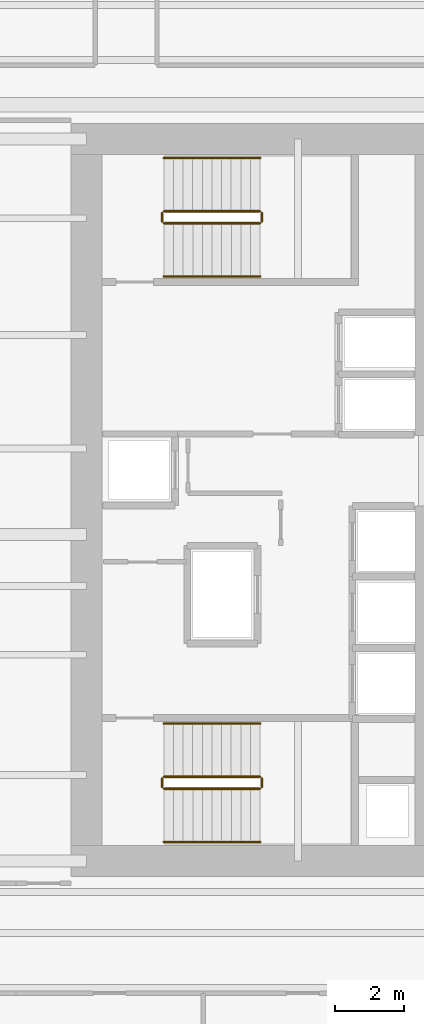
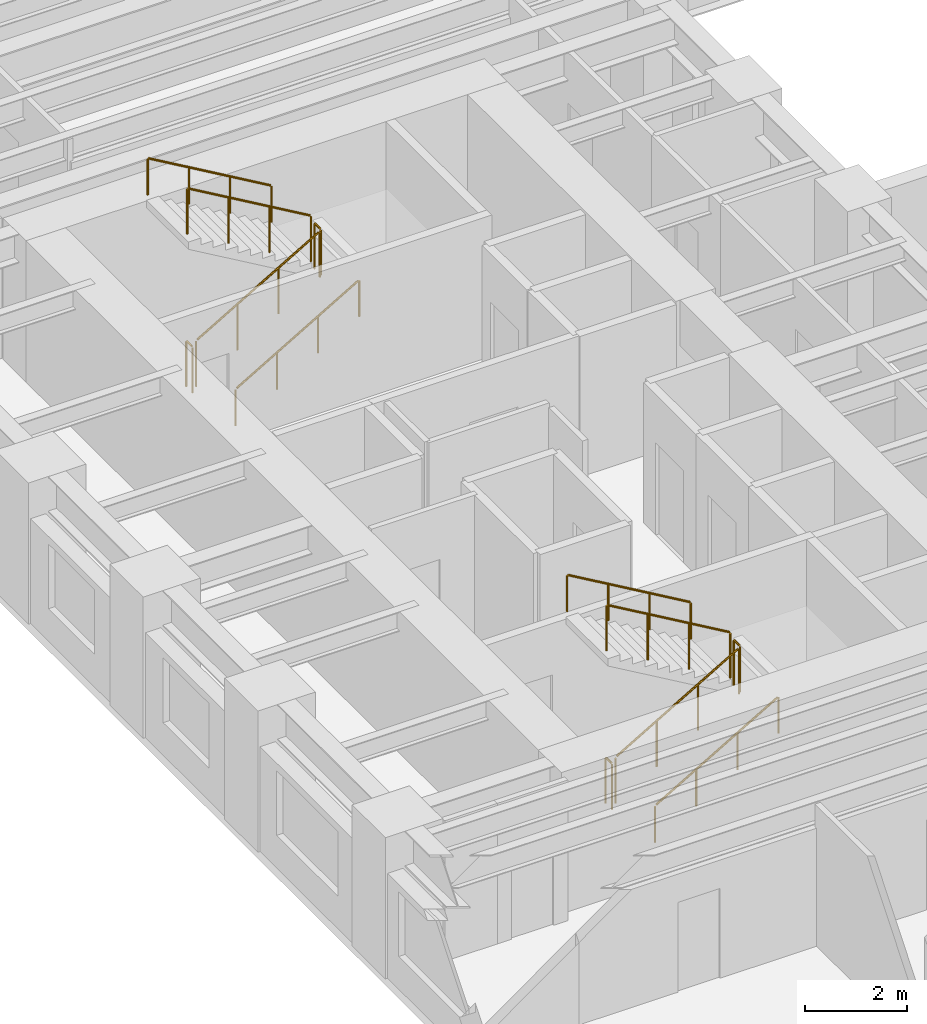
# One storey, part 12 of 13: 12 railings.
"""IFC4 building model written with IfcOpenShell, lengths in metres."""

from ifc_helpers import new_model, si_unit, direction, frame, origin, origin_2d, place, context, subcontext, project, spatial, circle, extrude, source, transform, mapped, material, layer, layer_set, type_object, element, save


model = new_model("IFC4")

# Units and contexts
model_context = context("Model", 3, precision=1e-05, world=origin(), true_north=direction((0.0, 1.0)))
body_context = subcontext(model_context, "Body", "Model", "MODEL_VIEW")
ifc_project = project(units=[si_unit("LENGTHUNIT", "METRE"), si_unit("AREAUNIT", "SQUARE_METRE"), si_unit("VOLUMEUNIT", "CUBIC_METRE"), si_unit("PLANEANGLEUNIT", "RADIAN"), si_unit("MASSUNIT", "GRAM", prefix="KILO")], contexts=[model_context])

# Site, building, storey
site_placement = place(None, origin())
site = spatial("IfcSite", under=ifc_project, at=site_placement, CompositionType="ELEMENT")
building_placement = place(site_placement, origin())
building = spatial("IfcBuilding", under=site, at=building_placement, Name="Kharzan Plaza Tower", CompositionType="ELEMENT")
storey_placement = place(building_placement, frame((0.0, 0.0, 65.699951171875)))
storey = spatial("IfcBuildingStorey", under=building, at=storey_placement, Name="L17", CompositionType="ELEMENT", Elevation=65.699951171875)

# Railings
ifc_material_1 = material(Name="Painted Galvanized Architectural Steel", Category="steel")
ifc_layer_1 = layer(ifc_material_1, 0.074951171875)
ifc_layer_set_1 = layer_set([ifc_layer_1], Name="Painted Galvanized Architectural Steel")
railing_type_1 = type_object("IfcRailingType", Name="RL-GUARD-1120", PredefinedType="BALUSTRADE", material=ifc_layer_set_1)
shared_shape_1 = source(origin(), body_context, "Body", "SweptSolid", [
    extrude(circle(Radius=0.02392578125, at=origin_2d()), frame((0.0, 0.0263671875, 1.09619140625), z_axis=(0.0, 1.0, 0.0), x_axis=(-1.0, 0.0, 0.0)), (0.0, 0.0, 1.0), 0.197021484375),
    extrude(circle(Radius=0.02099609375, at=origin_2d()), origin(), (0.0, 0.0, 1.0), 1.072021484375),
    extrude(circle(Radius=0.02099609375, at=origin_2d()), frame((0.0, 0.25, 0.0)), (0.0, 0.0, 1.0), 1.072021484375),
])
for number, where, name in (
    (1, (9.60009765625, 10.64990234375, 1.800048828125), "L17 ST-1 stair guard 2"),
    (2, (6.699951171875, 10.64990234375, 0.0), "L17 ST-1 stair guard 4"),
    (3, (9.60009765625, 27.10009765625, 1.800048828125), "L17 ST-2 stair guard 2"),
    (4, (6.699951171875, 27.10009765625, 0.0), "L17 ST-2 stair guard 4"),
):
    element("IfcRailing", number, at=place(storey_placement, frame(where)), inside=storey, type_object=railing_type_1, Name=name, PredefinedType="BALUSTRADE", context=body_context, shape_type="MappedRepresentation", body=[
        mapped(shared_shape_1, transform((0.0, 0.0, 0.0), x_axis=(1.0, 0.0, 0.0), y_axis=(0.0, 1.0, 0.0), z_axis=(0.0, 0.0, 1.0))),
    ])
shared_shape_2 = source(origin(), body_context, "Body", "SweptSolid", [
    extrude(circle(Radius=0.02392578125, at=origin_2d()), frame((0.02294921875, 0.0, 1.109375), z_axis=(0.863360870873, 0.0, 0.504586966384), x_axis=(0.0, 1.0, 0.0)), (0.0, 0.0, 1.0), 3.190185546875),
    extrude(circle(Radius=0.02099609375, at=origin_2d()), origin(), (0.0, 0.0, 1.0), 1.072021484375),
    extrude(circle(Radius=0.02099609375, at=origin_2d()), frame((0.933349609375, 0.0, 0.54541015625)), (0.0, 0.0, 1.0), 1.072021484375),
    extrude(circle(Radius=0.02099609375, at=origin_2d()), frame((1.86669921875, 0.0, 1.091064453125)), (0.0, 0.0, 1.0), 1.072021484375),
    extrude(circle(Radius=0.02099609375, at=origin_2d()), frame((2.800048828125, 0.0, 1.636474609375)), (0.0, 0.0, 1.0), 1.072021484375),
])
for number, where, name in (
    (5, (6.75, 10.60009765625, 0.16357421875), "L17 ST-1 stair guard 1"),
    (6, (6.75, 27.050048828125, 0.16357421875), "L17 ST-2 stair guard 1"),
):
    element("IfcRailing", number, at=place(storey_placement, frame(where)), inside=storey, type_object=railing_type_1, Name=name, PredefinedType="BALUSTRADE", context=body_context, shape_type="MappedRepresentation", body=[
        mapped(shared_shape_2, transform((0.0, 0.0, 0.0), x_axis=(1.0, 0.0, 0.0), y_axis=(0.0, 1.0, 0.0), z_axis=(0.0, 0.0, 1.0))),
    ])
shared_shape_3 = source(origin(), body_context, "Body", "SweptSolid", [
    extrude(circle(Radius=0.02392578125, at=origin_2d()), frame((-0.02294921875, 0.0, 1.109375), z_axis=(-0.863360870873, 0.0, 0.504586966384), x_axis=(0.0, -1.0, 0.0)), (0.0, 0.0, 1.0), 3.190185546875),
    extrude(circle(Radius=0.02099609375, at=origin_2d()), origin(), (0.0, 0.0, 1.0), 1.072021484375),
    extrude(circle(Radius=0.02099609375, at=origin_2d()), frame((-0.933349609375, 0.0, 0.54541015625)), (0.0, 0.0, 1.0), 1.072021484375),
    extrude(circle(Radius=0.02099609375, at=origin_2d()), frame((-1.86669921875, 0.0, 1.091064453125)), (0.0, 0.0, 1.0), 1.072021484375),
    extrude(circle(Radius=0.02099609375, at=origin_2d()), frame((-2.800048828125, 0.0, 1.636474609375)), (0.0, 0.0, 1.0), 1.072021484375),
])
for number, where, name in (
    (7, (9.550048828125, 10.949951171875, 1.963623046875), "L17 ST-1 stair guard 3"),
    (8, (9.550048828125, 27.39990234375, 1.963623046875), "L17 ST-2 stair guard 3"),
):
    element("IfcRailing", number, at=place(storey_placement, frame(where)), inside=storey, type_object=railing_type_1, Name=name, PredefinedType="BALUSTRADE", context=body_context, shape_type="MappedRepresentation", body=[
        mapped(shared_shape_3, transform((0.0, 0.0, 0.0), x_axis=(1.0, 0.0, 0.0), y_axis=(0.0, 1.0, 0.0), z_axis=(0.0, 0.0, 1.0))),
    ])
ifc_material_2 = material(Name="Brushed Stainless Steel", Category="steel")
ifc_layer_2 = layer(ifc_material_2, 0.050048828125)
ifc_layer_set_2 = layer_set([ifc_layer_2], Name="Brushed Stainless Steel")
railing_type_2 = type_object("IfcRailingType", Name="RL-STAIR-HR920", PredefinedType="HANDRAIL", material=ifc_layer_set_2)
shared_shape_4 = source(origin(), body_context, "Body", "SweptSolid", [
    extrude(circle(Radius=0.02392578125, at=origin_2d()), frame((0.02294921875, 0.0, 0.88916015625), z_axis=(0.863360870873, 0.0, 0.504586966384), x_axis=(0.0, 1.0, 0.0)), (0.0, 0.0, 1.0), 3.190185546875),
    extrude(circle(Radius=0.02099609375, at=origin_2d()), origin(), (0.0, 0.0, 1.0), 0.851806640625),
    extrude(circle(Radius=0.02099609375, at=origin_2d()), frame((0.933349609375, 0.0, 0.54541015625)), (0.0, 0.0, 1.0), 0.851806640625),
    extrude(circle(Radius=0.02099609375, at=origin_2d()), frame((1.86669921875, 0.0, 1.091064453125)), (0.0, 0.0, 1.0), 0.851806640625),
    extrude(circle(Radius=0.02099609375, at=origin_2d()), frame((2.800048828125, 0.0, 1.636474609375)), (0.0, 0.0, 1.0), 0.851806640625),
])
for number, where, name in (
    (9, (6.75, 9.050048828125, 0.16357421875), "L17 ST-1 stair handrail 1"),
    (10, (6.75, 25.5, 0.16357421875), "L17 ST-2 stair handrail 1"),
):
    element("IfcRailing", number, at=place(storey_placement, frame(where)), inside=storey, type_object=railing_type_2, Name=name, PredefinedType="HANDRAIL", context=body_context, shape_type="MappedRepresentation", body=[
        mapped(shared_shape_4, transform((0.0, 0.0, 0.0), x_axis=(1.0, 0.0, 0.0), y_axis=(0.0, 1.0, 0.0), z_axis=(0.0, 0.0, 1.0))),
    ])
shared_shape_5 = source(origin(), body_context, "Body", "SweptSolid", [
    extrude(circle(Radius=0.02392578125, at=origin_2d()), frame((-0.02294921875, 0.0, 0.88916015625), z_axis=(-0.863360870873, 0.0, 0.504586966384), x_axis=(0.0, -1.0, 0.0)), (0.0, 0.0, 1.0), 3.190185546875),
    extrude(circle(Radius=0.02099609375, at=origin_2d()), origin(), (0.0, 0.0, 1.0), 0.851806640625),
    extrude(circle(Radius=0.02099609375, at=origin_2d()), frame((-0.933349609375, 0.0, 0.54541015625)), (0.0, 0.0, 1.0), 0.851806640625),
    extrude(circle(Radius=0.02099609375, at=origin_2d()), frame((-1.86669921875, 0.0, 1.091064453125)), (0.0, 0.0, 1.0), 0.851806640625),
    extrude(circle(Radius=0.02099609375, at=origin_2d()), frame((-2.800048828125, 0.0, 1.636474609375)), (0.0, 0.0, 1.0), 0.851806640625),
])
for number, where, name in (
    (11, (9.550048828125, 12.5, 1.963623046875), "L17 ST-1 stair handrail 2"),
    (12, (9.550048828125, 28.949951171875, 1.963623046875), "L17 ST-2 stair handrail 2"),
):
    element("IfcRailing", number, at=place(storey_placement, frame(where)), inside=storey, type_object=railing_type_2, Name=name, PredefinedType="HANDRAIL", context=body_context, shape_type="MappedRepresentation", body=[
        mapped(shared_shape_5, transform((0.0, 0.0, 0.0), x_axis=(1.0, 0.0, 0.0), y_axis=(0.0, 1.0, 0.0), z_axis=(0.0, 0.0, 1.0))),
    ])

save(model, "model.ifc")
